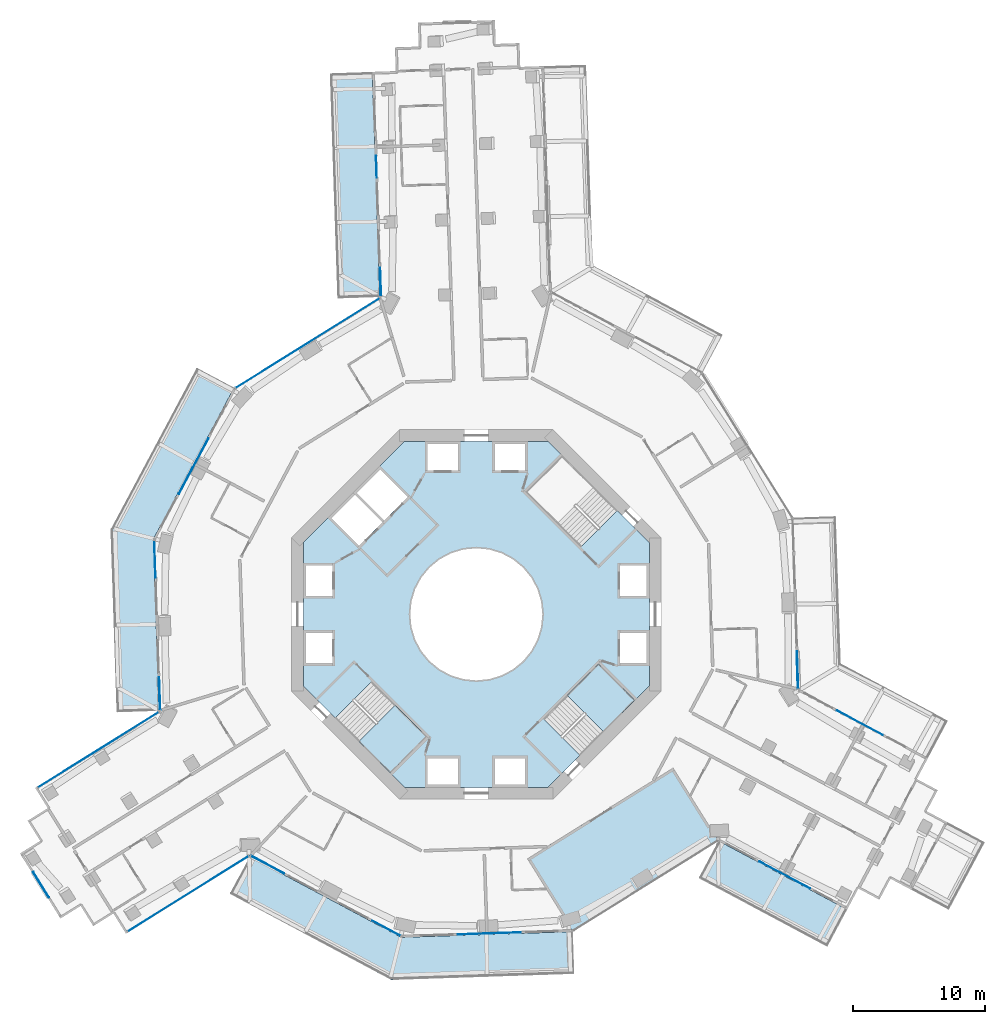
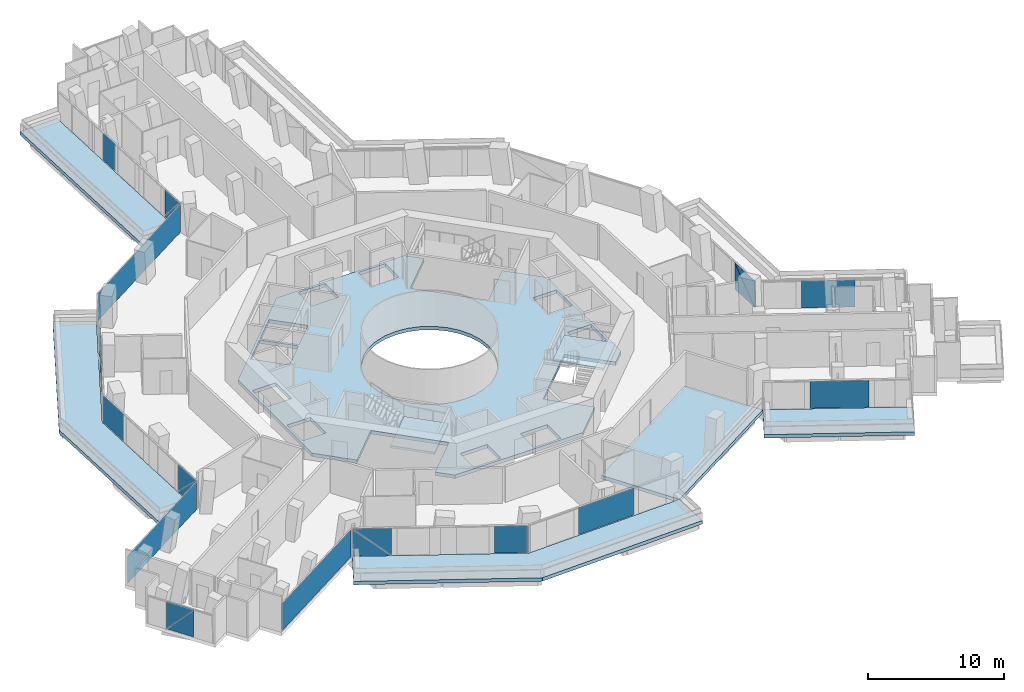
# One storey, part 14 of 27: 21 plates, 8 slabs, 14 elements without a shape of their own.
"""IFC4 building model written with IfcOpenShell, lengths in metres."""

from ifc_helpers import new_model, si_unit, direction, frame, origin, origin_2d, place, context, subcontext, project, spatial, polyline, rectangle, outline, extrude, material, layer, layer_set, type_object, element, aggregate, save


model = new_model("IFC4")

# Units and contexts
model_context = context("Model", 3, precision=1e-05, world=origin(), true_north=direction((0.0, 1.0)))
body_context = subcontext(model_context, "Body", "Model", "MODEL_VIEW")
ifc_project = project(units=[si_unit("LENGTHUNIT", "METRE"), si_unit("AREAUNIT", "SQUARE_METRE"), si_unit("VOLUMEUNIT", "CUBIC_METRE"), si_unit("PLANEANGLEUNIT", "RADIAN"), si_unit("MASSUNIT", "GRAM", prefix="KILO")], contexts=[model_context])

# Site, building, storey
site_placement = place(None, origin())
site = spatial("IfcSite", under=ifc_project, at=site_placement, CompositionType="ELEMENT")
building_placement = place(site_placement, origin())
building = spatial("IfcBuilding", under=site, at=building_placement, Name="Verdalira Terraces Hotel", CompositionType="ELEMENT")
storey_placement = place(building_placement, frame((0.0, 0.0, 42.5)))
storey = spatial("IfcBuildingStorey", under=building, at=storey_placement, Name="L08", CompositionType="ELEMENT", Elevation=42.5)

# Slabs
ifc_material_1 = material(Name="Precast concrete C40/50", Category="concrete")
ifc_layer_1 = layer(ifc_material_1, 0.31005859375)
ifc_layer_set_1 = layer_set([ifc_layer_1], Name="Balcony deck 310")
slab_type_1 = type_object("IfcSlabType", Name="Balcony deck 310", PredefinedType="FLOOR", material=ifc_layer_set_1)
slab_1_placement = place(storey_placement, frame((0.0, 0.0, -0.310059)))
element("IfcSlab", 1, at=slab_1_placement, inside=storey, type_object=slab_type_1, Name="Balcony deck", PredefinedType="FLOOR", context=body_context, shape_type="SweptSolid", body=[
    extrude(outline(polyline([(-10.507324, 23.919678), (-7.309082, 24.026855), (-7.880127, 41.060303), (-11.078369, 40.953125), (-10.507324, 23.919678)])), origin(), (0.0, 0.0, 1.0), 0.310059),
])
slab_2_placement = place(storey_placement, frame((0.0, 0.0, -0.310059)))
element("IfcSlab", 2, at=slab_2_placement, inside=storey, type_object=slab_type_1, Name="Balcony deck", PredefinedType="FLOOR", context=body_context, shape_type="SweptSolid", body=[
    extrude(outline(polyline([(-27.689453, 6.43335), (-27.225098, -7.41626), (-24.026855, -7.309082), (-24.462402, 5.683594), (-18.343262, 17.15332), (-21.166748, 18.659668), (-27.689453, 6.43335)])), origin(), (0.0, 0.0, 1.0), 0.310059),
])
slab_3_placement = place(storey_placement, frame((0.0, 0.0, -0.310059)))
element("IfcSlab", 3, at=slab_3_placement, inside=storey, type_object=slab_type_1, Name="Balcony deck", PredefinedType="FLOOR", context=body_context, shape_type="SweptSolid", body=[
    extrude(outline(polyline([(-6.43335, -27.689453), (7.41626, -27.225098), (7.309082, -24.026855), (-5.683594, -24.462402), (-17.15332, -18.343262), (-18.659668, -21.166748), (-6.43335, -27.689453)])), origin(), (0.0, 0.0, 1.0), 0.310059),
])
slab_4_placement = place(storey_placement, frame((0.0, 0.0, -0.310059)))
element("IfcSlab", 4, at=slab_4_placement, inside=storey, type_object=slab_type_1, Name="Balcony deck", PredefinedType="FLOOR", context=body_context, shape_type="SweptSolid", body=[
    extrude(outline(polyline([(26.580078, -25.174561), (28.086426, -22.351318), (18.343262, -17.15332), (16.837158, -19.976807), (26.580078, -25.174561)])), origin(), (0.0, 0.0, 1.0), 0.310059),
])

# Curtain wall, plate
ifc_material_2 = material(Name="Clear glass", Category="glass")
ifc_layer_2 = layer(ifc_material_2, 0.14990234375)
ifc_layer_set_2 = layer_set([ifc_layer_2], Name="CW1 curtain wall")
curtain_wall_type_1 = type_object("IfcCurtainWallType", Name="CW1 curtain wall", PredefinedType="NOTDEFINED", material=ifc_layer_set_2)
curtain_wall_1_placement = place(storey_placement, origin())
curtain_wall_1 = element("IfcCurtainWall", 5, at=curtain_wall_1_placement, inside=storey, type_object=curtain_wall_type_1, Name="CW1 curtain wall L08 edge 11", PredefinedType="NOTDEFINED")
ifc_material_3 = material(Name="Clear glass", Category="glass")
ifc_layer_3 = layer(ifc_material_3, 0.028076171875)
ifc_layer_set_3 = layer_set([ifc_layer_3], Name="CW1 glass unit 28")
plate_type_1 = type_object("IfcPlateType", Name="CW1 glass unit 28", PredefinedType="CURTAIN_PANEL", material=ifc_layer_set_3)
plate_1_placement = place(storey_placement, frame((-12.769531, 20.537109, 0.0), z_axis=(0.0, 0.0, 1.0), x_axis=(-0.848787176, -0.52873465, 0.0)))
plate_1 = element("IfcPlate", 6, at=plate_1_placement, type_object=plate_type_1, Name="CW1 glass unit", PredefinedType="CURTAIN_PANEL", context=body_context, shape_type="SweptSolid", body=[
    extrude(rectangle(XDim=12.839844, YDim=0.028076, at=origin_2d()), origin(), (0.0, 0.0, 1.0), 2.425049),
])
aggregate(curtain_wall_1, [plate_1])

# Curtain wall, plates
curtain_wall_2_placement = place(storey_placement, origin())
curtain_wall_2 = element("IfcCurtainWall", 7, at=curtain_wall_2_placement, inside=storey, type_object=curtain_wall_type_1, Name="CW1 curtain wall L08 edge 12", PredefinedType="NOTDEFINED")
plate_2_placement = place(storey_placement, frame((-21.408203, 11.218994, 1.212402), z_axis=(-0.882291226, 0.470703932, 0.0), x_axis=(-0.470703932, -0.882291226, 0.0)))
plate_2 = element("IfcPlate", 8, at=plate_2_placement, type_object=plate_type_1, Name="CW1 glass unit", PredefinedType="CURTAIN_PANEL", context=body_context, shape_type="SweptSolid", body=[
    extrude(outline(polyline([(-2.379639, -1.212402), (2.379639, -1.212402), (2.379639, 1.212402), (-2.379639, -1.212402)])), origin(), (0.0, 0.0, 1.0), 0.028076),
])
plate_3_placement = place(storey_placement, frame((-21.382568, 11.205322, 1.212402), z_axis=(-0.882291226, 0.470703932, 0.0), x_axis=(-0.470703932, -0.882291226, 0.0)))
plate_3 = element("IfcPlate", 9, at=plate_3_placement, type_object=plate_type_1, Name="CW1 glass unit", PredefinedType="CURTAIN_PANEL", context=body_context, shape_type="SweptSolid", body=[
    extrude(outline(polyline([(-2.379639, -1.212402), (2.379639, 1.212402), (-2.379639, 1.212402), (-2.379639, -1.212402)])), origin(), (0.0, 0.0, 1.0), 0.028076),
])
aggregate(curtain_wall_2, [plate_2, plate_3])

curtain_wall_3_placement = place(storey_placement, origin())
curtain_wall_3 = element("IfcCurtainWall", 10, at=curtain_wall_3_placement, inside=storey, type_object=curtain_wall_type_1, Name="CW1 curtain wall L08 edge 13", PredefinedType="NOTDEFINED")
plate_4_placement = place(storey_placement, frame((-24.337158, 4.186768, 0.0), z_axis=(0.0, 0.0, 1.0), x_axis=(0.03350405, -0.999438582, 0.0)))
plate_4 = element("IfcPlate", 11, at=plate_4_placement, type_object=plate_type_1, Name="CW1 glass unit", PredefinedType="CURTAIN_PANEL", context=body_context, shape_type="SweptSolid", body=[
    extrude(rectangle(XDim=2.799805, YDim=0.028076, at=origin_2d()), origin(), (0.0, 0.0, 1.0), 2.425049),
])
plate_5_placement = place(storey_placement, frame((-23.981689, -6.00708, 1.212402), z_axis=(-0.999438582, -0.03350405, 0.0), x_axis=(0.03350405, -0.999438582, 0.0)))
plate_5 = element("IfcPlate", 12, at=plate_5_placement, type_object=plate_type_1, Name="CW1 glass unit", PredefinedType="CURTAIN_PANEL", context=body_context, shape_type="SweptSolid", body=[
    extrude(outline(polyline([(-1.239746, -1.212402), (1.239746, -1.212402), (1.239746, 1.212402), (-1.239746, -1.212402)])), origin(), (0.0, 0.0, 1.0), 0.028076),
])
plate_6_placement = place(storey_placement, frame((-23.952637, -6.006104, 1.212402), z_axis=(-0.999438582, -0.03350405, 0.0), x_axis=(0.03350405, -0.999438582, 0.0)))
plate_6 = element("IfcPlate", 13, at=plate_6_placement, type_object=plate_type_1, Name="CW1 glass unit", PredefinedType="CURTAIN_PANEL", context=body_context, shape_type="SweptSolid", body=[
    extrude(outline(polyline([(-1.239746, -1.212402), (1.239746, 1.212402), (-1.239746, 1.212402), (-1.239746, -1.212402)])), origin(), (0.0, 0.0, 1.0), 0.028076),
])
aggregate(curtain_wall_3, [plate_4, plate_5, plate_6])

curtain_wall_4_placement = place(storey_placement, origin())
curtain_wall_4 = element("IfcCurtainWall", 14, at=curtain_wall_4_placement, inside=storey, type_object=curtain_wall_type_1, Name="CW1 curtain wall L08 edge 25", PredefinedType="NOTDEFINED")
plate_7_placement = place(storey_placement, frame((-15.805664, -18.961426, 1.212402), z_axis=(-0.470703932, -0.882291226, 0.0), x_axis=(0.882291226, -0.470703932, 0.0)))
plate_7 = element("IfcPlate", 15, at=plate_7_placement, type_object=plate_type_1, Name="CW1 glass unit", PredefinedType="CURTAIN_PANEL", context=body_context, shape_type="SweptSolid", body=[
    extrude(outline(polyline([(-1.419922, -1.212402), (1.419922, -1.212402), (-1.419922, 1.212402), (-1.419922, -1.212402)])), origin(), (0.0, 0.0, 1.0), 0.028076),
])
plate_8_placement = place(storey_placement, frame((-15.791992, -18.935791, 1.212402), z_axis=(-0.470703932, -0.882291226, 0.0), x_axis=(0.882291226, -0.470703932, 0.0)))
plate_8 = element("IfcPlate", 16, at=plate_8_placement, type_object=plate_type_1, Name="CW1 glass unit", PredefinedType="CURTAIN_PANEL", context=body_context, shape_type="SweptSolid", body=[
    extrude(outline(polyline([(1.419922, -1.212402), (1.419922, 1.212402), (-1.419922, 1.212402), (1.419922, -1.212402)])), origin(), (0.0, 0.0, 1.0), 0.028076),
])
plate_9_placement = place(storey_placement, frame((-6.812744, -23.775146, 0.0), z_axis=(0.0, 0.0, 1.0), x_axis=(0.882291226, -0.470703932, 0.0)))
plate_9 = element("IfcPlate", 17, at=plate_9_placement, type_object=plate_type_1, Name="CW1 glass unit", PredefinedType="CURTAIN_PANEL", context=body_context, shape_type="SweptSolid", body=[
    extrude(rectangle(XDim=2.439209, YDim=0.028076, at=origin_2d()), origin(), (0.0, 0.0, 1.0), 2.425049),
])
aggregate(curtain_wall_4, [plate_7, plate_8, plate_9])

# Curtain wall, plate
curtain_wall_5_placement = place(storey_placement, origin())
curtain_wall_5 = element("IfcCurtainWall", 18, at=curtain_wall_5_placement, inside=storey, type_object=curtain_wall_type_1, Name="CW1 curtain wall L08 edge 26", PredefinedType="NOTDEFINED")
plate_10_placement = place(storey_placement, frame((0.98877, -24.163818, 0.0), z_axis=(0.0, 0.0, 1.0), x_axis=(0.999438582, 0.03350405, 0.0)))
plate_10 = element("IfcPlate", 19, at=plate_10_placement, type_object=plate_type_1, Name="CW1 glass unit", PredefinedType="CURTAIN_PANEL", context=body_context, shape_type="SweptSolid", body=[
    extrude(rectangle(XDim=4.759277, YDim=0.028076, at=origin_2d()), origin(), (0.0, 0.0, 1.0), 2.425049),
])
aggregate(curtain_wall_5, [plate_10])

# Curtain wall, plates
curtain_wall_6_placement = place(storey_placement, origin())
curtain_wall_6 = element("IfcCurtainWall", 20, at=curtain_wall_6_placement, inside=storey, type_object=curtain_wall_type_1, Name="CW1 curtain wall L08 edge 39", PredefinedType="NOTDEFINED")
plate_11_placement = place(storey_placement, frame((24.323975, -4.20752, 1.212402), z_axis=(0.999438582, 0.03350405, 0.0), x_axis=(-0.03350405, 0.999438582, 0.0)))
plate_11 = element("IfcPlate", 21, at=plate_11_placement, type_object=plate_type_1, Name="CW1 glass unit", PredefinedType="CURTAIN_PANEL", context=body_context, shape_type="SweptSolid", body=[
    extrude(outline(polyline([(-1.419922, -1.212402), (1.419922, -1.212402), (1.419922, 1.212402), (-1.419922, -1.212402)])), origin(), (0.0, 0.0, 1.0), 0.028076),
])
plate_12_placement = place(storey_placement, frame((24.294922, -4.208496, 1.212402), z_axis=(0.999438582, 0.03350405, 0.0), x_axis=(-0.03350405, 0.999438582, 0.0)))
plate_12 = element("IfcPlate", 22, at=plate_12_placement, type_object=plate_type_1, Name="CW1 glass unit", PredefinedType="CURTAIN_PANEL", context=body_context, shape_type="SweptSolid", body=[
    extrude(outline(polyline([(-1.419922, -1.212402), (1.419922, 1.212402), (-1.419922, 1.212402), (-1.419922, -1.212402)])), origin(), (0.0, 0.0, 1.0), 0.028076),
])
aggregate(curtain_wall_6, [plate_11, plate_12])

ifc_material_4 = material(Name="Clear glass", Category="glass")
ifc_layer_4 = layer(ifc_material_4, 0.14990234375)
ifc_layer_set_4 = layer_set([ifc_layer_4], Name="CW2 curtain wall")
curtain_wall_type_2 = type_object("IfcCurtainWallType", Name="CW2 curtain wall", PredefinedType="NOTDEFINED", material=ifc_layer_set_4)
curtain_wall_7_placement = place(storey_placement, origin())
curtain_wall_7 = element("IfcCurtainWall", 23, at=curtain_wall_7_placement, inside=storey, type_object=curtain_wall_type_2, Name="CW2 curtain wall L08 edge 10", PredefinedType="NOTDEFINED")
ifc_material_5 = material(Name="Clear glass", Category="glass")
ifc_layer_5 = layer(ifc_material_5, 0.031982421875)
ifc_layer_set_5 = layer_set([ifc_layer_5], Name="CW2 glass unit 32")
plate_type_2 = type_object("IfcPlateType", Name="CW2 glass unit 32", PredefinedType="CURTAIN_PANEL", material=ifc_layer_set_5)
plate_13_placement = place(storey_placement, frame((-7.564697, 33.890381, 0.0), z_axis=(0.0, 0.0, 1.0), x_axis=(0.03350405, -0.999438582, 0.0)))
plate_13 = element("IfcPlate", 24, at=plate_13_placement, type_object=plate_type_2, Name="CW2 glass unit", PredefinedType="CURTAIN_PANEL", context=body_context, shape_type="SweptSolid", body=[
    extrude(rectangle(XDim=1.670898, YDim=0.031982, at=origin_2d()), origin(), (0.0, 0.0, 1.0), 2.425049),
])
plate_14_placement = place(storey_placement, frame((-7.256348, 25.167969, 1.212402), z_axis=(-0.999438582, -0.03350405, 0.0), x_axis=(0.03350405, -0.999438582, 0.0)))
plate_14 = element("IfcPlate", 25, at=plate_14_placement, type_object=plate_type_2, Name="CW2 glass unit", PredefinedType="CURTAIN_PANEL", context=body_context, shape_type="SweptSolid", body=[
    extrude(outline(polyline([(-1.068848, -1.212402), (1.068848, -1.212402), (1.068848, 1.212402), (-1.068848, -1.212402)])), origin(), (0.0, 0.0, 1.0), 0.031982),
])
plate_15_placement = place(storey_placement, frame((-7.223389, 25.169189, 1.212402), z_axis=(-0.999438582, -0.03350405, 0.0), x_axis=(0.03350405, -0.999438582, 0.0)))
plate_15 = element("IfcPlate", 26, at=plate_15_placement, type_object=plate_type_2, Name="CW2 glass unit", PredefinedType="CURTAIN_PANEL", context=body_context, shape_type="SweptSolid", body=[
    extrude(outline(polyline([(-1.068848, -1.212402), (1.068848, 1.212402), (-1.068848, 1.212402), (-1.068848, -1.212402)])), origin(), (0.0, 0.0, 1.0), 0.031982),
])
aggregate(curtain_wall_7, [plate_13, plate_14, plate_15])

# Curtain wall, plate
curtain_wall_8_placement = place(storey_placement, origin())
curtain_wall_8 = element("IfcCurtainWall", 27, at=curtain_wall_8_placement, inside=storey, type_object=curtain_wall_type_2, Name="CW2 curtain wall L08 edge 14", PredefinedType="NOTDEFINED")
plate_16_placement = place(storey_placement, frame((-28.610107, -10.252441, 0.0), z_axis=(0.0, 0.0, 1.0), x_axis=(-0.848787176, -0.52873465, 0.0)))
plate_16 = element("IfcPlate", 28, at=plate_16_placement, type_object=plate_type_2, Name="CW2 glass unit", PredefinedType="CURTAIN_PANEL", context=body_context, shape_type="SweptSolid", body=[
    extrude(rectangle(XDim=10.75293, YDim=0.031982, at=origin_2d()), origin(), (0.0, 0.0, 1.0), 2.425049),
])
aggregate(curtain_wall_8, [plate_16])

curtain_wall_9_placement = place(storey_placement, origin())
curtain_wall_9 = element("IfcCurtainWall", 29, at=curtain_wall_9_placement, inside=storey, type_object=curtain_wall_type_2, Name="CW2 curtain wall L08 edge 24", PredefinedType="NOTDEFINED")
plate_17_placement = place(storey_placement, frame((-21.815918, -21.159424, 0.0), z_axis=(0.0, 0.0, 1.0), x_axis=(0.848787176, 0.52873465, 0.0)))
plate_17 = element("IfcPlate", 30, at=plate_17_placement, type_object=plate_type_2, Name="CW2 glass unit", PredefinedType="CURTAIN_PANEL", context=body_context, shape_type="SweptSolid", body=[
    extrude(rectangle(XDim=10.75293, YDim=0.031982, at=origin_2d()), origin(), (0.0, 0.0, 1.0), 2.425049),
])
aggregate(curtain_wall_9, [plate_17])

curtain_wall_10_placement = place(storey_placement, origin())
curtain_wall_10 = element("IfcCurtainWall", 31, at=curtain_wall_10_placement, inside=storey, type_object=curtain_wall_type_2, Name="CW2 curtain wall L08 edge 28", PredefinedType="NOTDEFINED")
plate_18_placement = place(storey_placement, frame((23.353027, -19.740967, 0.0), z_axis=(0.0, 0.0, 1.0), x_axis=(0.882291226, -0.470703932, 0.0)))
plate_18 = element("IfcPlate", 32, at=plate_18_placement, type_object=plate_type_2, Name="CW2 glass unit", PredefinedType="CURTAIN_PANEL", context=body_context, shape_type="SweptSolid", body=[
    extrude(rectangle(XDim=4.33252, YDim=0.031982, at=origin_2d()), origin(), (0.0, 0.0, 1.0), 2.425049),
])
aggregate(curtain_wall_10, [plate_18])

curtain_wall_11_placement = place(storey_placement, origin())
curtain_wall_11 = element("IfcCurtainWall", 33, at=curtain_wall_11_placement, inside=storey, type_object=curtain_wall_type_2, Name="CW2 curtain wall L08 edge 38", PredefinedType="NOTDEFINED")
plate_19_placement = place(storey_placement, frame((29.044189, -8.212891, 0.0), z_axis=(0.0, 0.0, 1.0), x_axis=(-0.882291226, 0.470703932, 0.0)))
plate_19 = element("IfcPlate", 34, at=plate_19_placement, type_object=plate_type_2, Name="CW2 glass unit", PredefinedType="CURTAIN_PANEL", context=body_context, shape_type="SweptSolid", body=[
    extrude(rectangle(XDim=3.925781, YDim=0.031982, at=origin_2d()), origin(), (0.0, 0.0, 1.0), 2.425049),
])
aggregate(curtain_wall_11, [plate_19])

# Curtain wall, plates
ifc_material_6 = material(Name="Clear glass", Category="glass")
ifc_layer_6 = layer(ifc_material_6, 0.14990234375)
ifc_layer_set_6 = layer_set([ifc_layer_6], Name="CW3 curtain wall")
curtain_wall_type_3 = type_object("IfcCurtainWallType", Name="CW3 curtain wall", PredefinedType="NOTDEFINED", material=ifc_layer_set_6)
curtain_wall_12_placement = place(storey_placement, origin())
curtain_wall_12 = element("IfcCurtainWall", 35, at=curtain_wall_12_placement, inside=storey, type_object=curtain_wall_type_3, Name="CW3 curtain wall L08 edge 19", PredefinedType="NOTDEFINED")
ifc_material_7 = material(Name="Clear glass", Category="glass")
ifc_layer_7 = layer(ifc_material_7, 0.035888671875)
ifc_layer_set_7 = layer_set([ifc_layer_7], Name="CW3 glass unit 36")
plate_type_3 = type_object("IfcPlateType", Name="CW3 glass unit 36", PredefinedType="CURTAIN_PANEL", material=ifc_layer_set_7)
plate_20_placement = place(storey_placement, frame((-32.960449, -20.486328, 1.212402), z_axis=(-0.848787176, -0.52873465, 0.0), x_axis=(0.52873465, -0.848787176, 0.0)))
plate_20 = element("IfcPlate", 36, at=plate_20_placement, type_object=plate_type_3, Name="CW3 glass unit", PredefinedType="CURTAIN_PANEL", context=body_context, shape_type="SweptSolid", body=[
    extrude(outline(polyline([(-1.128906, -1.212402), (1.128906, -1.212402), (1.128906, 1.212402), (-1.128906, -1.212402)])), origin(), (0.0, 0.0, 1.0), 0.035889),
])
plate_21_placement = place(storey_placement, frame((-32.928955, -20.466797, 1.212402), z_axis=(-0.848787176, -0.52873465, 0.0), x_axis=(0.52873465, -0.848787176, 0.0)))
plate_21 = element("IfcPlate", 37, at=plate_21_placement, type_object=plate_type_3, Name="CW3 glass unit", PredefinedType="CURTAIN_PANEL", context=body_context, shape_type="SweptSolid", body=[
    extrude(outline(polyline([(-1.128906, -1.212402), (1.128906, 1.212402), (-1.128906, 1.212402), (-1.128906, -1.212402)])), origin(), (0.0, 0.0, 1.0), 0.035889),
])
aggregate(curtain_wall_12, [plate_20, plate_21])

# Slab
ifc_material_8 = material(Name="Concrete C40", Category="concrete")
ifc_layer_8 = layer(ifc_material_8, 0.31005859375)
ifc_layer_set_8 = layer_set([ifc_layer_8], Name="Core floor slab 310 mm")
slab_type_2 = type_object("IfcSlabType", Name="Core floor slab 310 mm", PredefinedType="FLOOR", material=ifc_layer_set_8)
slab_5_placement = place(storey_placement, frame((0.0, 0.0, -0.310059)))
element("IfcSlab", 38, at=slab_5_placement, inside=storey, type_object=slab_type_2, Name="L08 core floor", PredefinedType="FLOOR", context=body_context, shape_type="SweptSolid", body=[
    extrude(outline(polyline([(-5.42627, 13.100098), (5.42627, 13.100098), (6.491211, 12.034912), (3.719482, 9.263184), (7.905029, 5.077393), (10.677002, 7.849121), (13.100098, 5.42627), (13.100098, -5.42627), (12.034912, -6.491211), (9.263184, -3.719482), (5.077393, -7.905029), (7.849121, -10.677002), (5.42627, -13.100098), (-5.42627, -13.100098), (-6.491211, -12.034912), (-3.719482, -9.263184), (-7.905029, -5.077393), (-10.677002, -7.849121), (-13.100098, -5.42627), (-13.100098, 5.42627), (-5.42627, 13.100098)]), holes=[polyline([(12.899902, -3.699951), (12.899902, -1.399902), (10.899902, -1.399902), (10.899902, -3.699951), (12.899902, -3.699951)]), polyline([(12.899902, 1.399902), (12.899902, 3.699951), (10.899902, 3.699951), (10.899902, 1.399902), (12.899902, 1.399902)]), polyline([(1.399902, 10.899902), (3.699951, 10.899902), (3.699951, 12.899902), (1.399902, 12.899902), (1.399902, 10.899902)]), polyline([(-3.699951, 10.899902), (-1.399902, 10.899902), (-1.399902, 12.899902), (-3.699951, 12.899902), (-3.699951, 10.899902)]), polyline([(-12.899902, 3.699951), (-12.899902, 1.399902), (-10.899902, 1.399902), (-10.899902, 3.699951), (-12.899902, 3.699951)]), polyline([(-12.899902, -1.399902), (-12.899902, -3.699951), (-10.899902, -3.699951), (-10.899902, -1.399902), (-12.899902, -1.399902)]), polyline([(-1.399902, -10.899902), (-3.699951, -10.899902), (-3.699951, -12.899902), (-1.399902, -12.899902), (-1.399902, -10.899902)]), polyline([(3.699951, -10.899902), (1.399902, -10.899902), (1.399902, -12.899902), (3.699951, -12.899902), (3.699951, -10.899902)]), polyline([(-9.051025, 9.192383), (-6.965088, 7.106445), (-5.197266, 8.874268), (-7.283203, 10.960205), (-9.051025, 9.192383)]), polyline([(-9.192383, 9.051025), (-10.960205, 7.283203), (-8.874268, 5.197266), (-7.106445, 6.965088), (-9.192383, 9.051025)]), polyline([(3.5354, 3.5354), (2.777832, 4.157227), (1.91333, 4.619385), (0.975586, 4.903809), (0.0, 5.0), (-0.975586, 4.903809), (-1.91333, 4.619385), (-2.777832, 4.157227), (-3.5354, 3.5354), (-4.157227, 2.777832), (-4.619385, 1.91333), (-4.903809, 0.975586), (-5.0, 0.0), (-4.903809, -0.975586), (-4.619385, -1.91333), (-4.157227, -2.777832), (-3.5354, -3.5354), (-2.777832, -4.157227), (-1.91333, -4.619385), (-0.975586, -4.903809), (0.0, -5.0), (0.975586, -4.903809), (1.91333, -4.619385), (2.777832, -4.157227), (3.5354, -3.5354), (4.157227, -2.777832), (4.619385, -1.91333), (4.903809, -0.975586), (5.0, 0.0), (4.903809, 0.975586), (4.619385, 1.91333), (4.157227, 2.777832), (3.5354, 3.5354)])]), origin(), (0.0, 0.0, 1.0), 0.310059),
])

# Stair, slab
ifc_material_9 = material(Name="Concrete C40", Category="concrete")
stair_type = type_object("IfcStairType", Name="Core stair 20 risers 1900 mm wide", PredefinedType="HALF_TURN_STAIR", material=ifc_material_9)
stair_1_placement = place(storey_placement, origin())
stair_1 = element("IfcStair", 39, at=stair_1_placement, inside=storey, type_object=stair_type, Name="L08 Exit stair ST2", PredefinedType="HALF_TURN_STAIR")
ifc_material_10 = material(Name="Concrete C40", Category="concrete")
ifc_layer_9 = layer(ifc_material_10, 0.199951171875)
ifc_layer_set_9 = layer_set([ifc_layer_9], Name="Core stair landing 200 mm")
slab_type_3 = type_object("IfcSlabType", Name="Core stair landing 200 mm", PredefinedType="LANDING", material=ifc_layer_set_9)
slab_6_placement = place(storey_placement, frame((0.0, 0.0, 1.550049)))
slab_6 = element("IfcSlab", 40, at=slab_6_placement, type_object=slab_type_3, Name="ST2 landing 1", PredefinedType="LANDING", context=body_context, shape_type="SweptSolid", body=[
    extrude(outline(polyline([(-8.895752, -9.630371), (-6.505371, -12.020752), (-3.747559, -9.263184), (-6.137939, -6.872803), (-8.895752, -9.630371)])), origin(), (0.0, 0.0, 1.0), 0.199951),
])
aggregate(stair_1, [slab_6])

stair_2_placement = place(storey_placement, origin())
stair_2 = element("IfcStair", 41, at=stair_2_placement, inside=storey, type_object=stair_type, Name="L08 Exit stair ST3", PredefinedType="HALF_TURN_STAIR")
slab_7_placement = place(storey_placement, frame((0.0, 0.0, 1.550049)))
slab_7 = element("IfcSlab", 42, at=slab_7_placement, type_object=slab_type_3, Name="ST3 landing 1", PredefinedType="LANDING", context=body_context, shape_type="SweptSolid", body=[
    extrude(outline(polyline([(9.630371, -8.895752), (12.020752, -6.505371), (9.263184, -3.747559), (6.872803, -6.137939), (9.630371, -8.895752)])), origin(), (0.0, 0.0, 1.0), 0.199951),
])
aggregate(stair_2, [slab_7])

# Slab
ifc_material_11 = material(Name="Concrete C40", Category="concrete")
ifc_layer_10 = layer(ifc_material_11, 0.31005859375)
ifc_layer_set_10 = layer_set([ifc_layer_10], Name="Loggia floor deck 310 C40")
slab_type_4 = type_object("IfcSlabType", Name="Loggia floor deck 310 C40", PredefinedType="FLOOR", material=ifc_layer_set_10)
slab_8_placement = place(storey_placement, frame((0.0, 0.0, -0.310059)))
element("IfcSlab", 43, at=slab_8_placement, inside=storey, type_object=slab_type_4, Name="Loggia deck L08", PredefinedType="FLOOR", context=body_context, shape_type="SweptSolid", body=[
    extrude(outline(polyline([(3.872314, -18.509766), (7.309082, -24.026855), (18.343262, -17.15332), (14.906494, -11.63623), (3.872314, -18.509766)])), origin(), (0.0, 0.0, 1.0), 0.310059),
])

save(model, "model.ifc")
